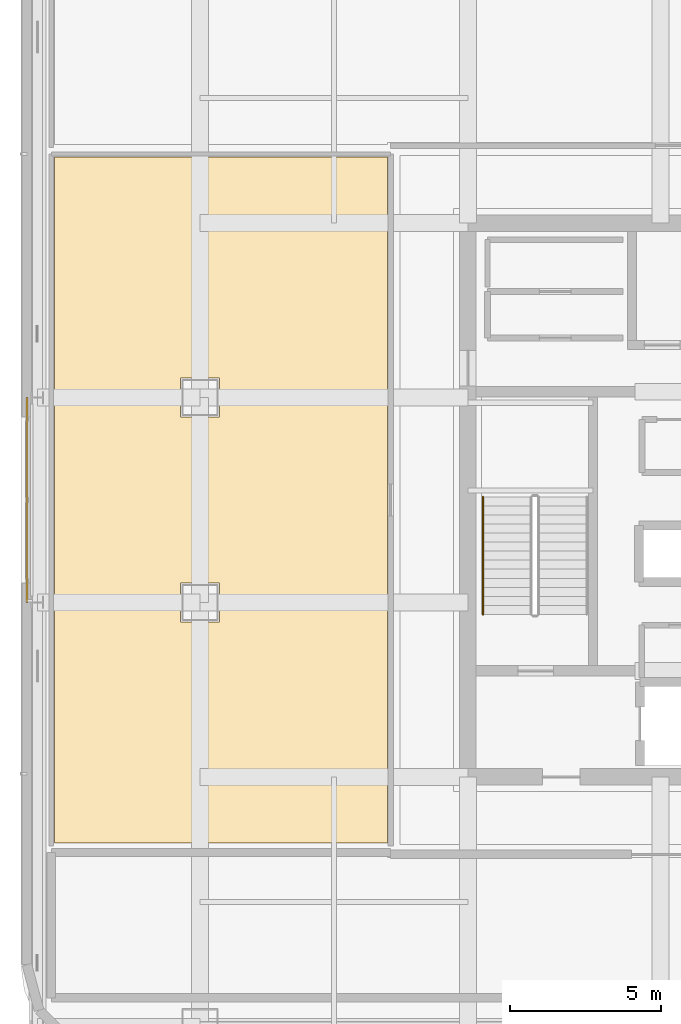
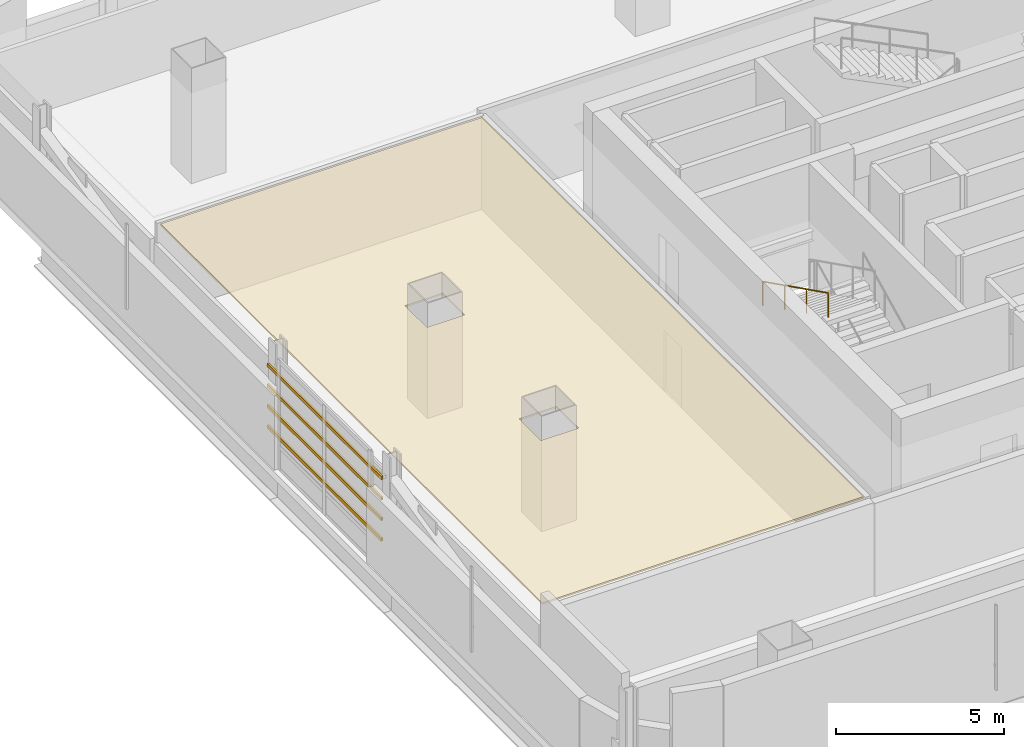
# One storey, part 22 of 31: 4 shading devices, 1 covering, 1 railing.
"""IFC4 building model written with IfcOpenShell, lengths in metres."""

import ifcopenshell
import ifcopenshell.guid

model = None  # the IFC model being written
_history = None  # IfcOwnerHistory: only IFC2X3 demands one
_inside = {}  # id of a spatial element -> (the spatial element, [elements in it])
_under = {}  # id of a project, library or spatial element -> (it, [spatial elements below it])
_declared = {}  # id of a project -> (the project, [libraries it declares])
_typed = {}  # id of a type object -> (the type object, [elements of that type])
_made_of = {}  # id of a material, layer set ... -> (it, [elements and type objects made of it])


def new_model(schema):
    """Start an empty IFC model of exactly this schema.

    Asked for "IFC4X3", IfcOpenShell would pick the latest addendum, in which some entities
    have other attributes; the version numbers below select the first issue.
    IFC2X3 requires an IfcOwnerHistory on every rooted entity: one is made here for all.
    """
    global model, _history
    if schema == "IFC4X3":
        model = ifcopenshell.file(schema_version=(4, 3, 0, 0))
    else:
        model = ifcopenshell.file(schema=schema)
    _inside.clear()
    _under.clear()
    _declared.clear()
    _typed.clear()
    _made_of.clear()
    _history = None
    if model.schema == "IFC2X3":
        org = make("IfcOrganization", Name="unknown")
        user = make(
            "IfcPersonAndOrganization",
            ThePerson=make("IfcPerson", FamilyName="unknown"),
            TheOrganization=org,
        )
        app = make(
            "IfcApplication",
            ApplicationDeveloper=org,
            Version="unknown",
            ApplicationFullName="unknown",
            ApplicationIdentifier="unknown",
        )
        _history = make(
            "IfcOwnerHistory",
            OwningUser=user,
            OwningApplication=app,
            ChangeAction="ADDED",
            CreationDate=0,
        )
    return model


def make(cls, **values):
    """One entity of the class cls with the attributes given. An attribute that is None is left unset."""
    return model.create_entity(
        cls, **{name: value for name, value in values.items() if value is not None}
    )


def rooted(cls, **values):
    """An entity with a GlobalId (a new one), such as an element, a storey or a relation."""
    return make(cls, GlobalId=ifcopenshell.guid.new(), OwnerHistory=_history, **values)


def si_unit(unit_type, name, prefix=None):
    """IfcSIUnit, for example si_unit("LENGTHUNIT", "METRE", prefix="MILLI")."""
    return make("IfcSIUnit", UnitType=unit_type, Prefix=prefix, Name=name)


def assignment(units):
    """IfcUnitAssignment: the units of a project."""
    return None if units is None else make("IfcUnitAssignment", Units=units)


def point(xyz):
    """IfcCartesianPoint."""
    return None if xyz is None else make("IfcCartesianPoint", Coordinates=xyz)


def direction(xyz):
    """IfcDirection."""
    return None if xyz is None else make("IfcDirection", DirectionRatios=xyz)


def frame(location, z_axis=None, x_axis=None):
    """IfcAxis2Placement3D, a coordinate frame: its origin and axes. An axis left out is left unset."""
    return make(
        "IfcAxis2Placement3D",
        Location=point(location),
        Axis=direction(z_axis),
        RefDirection=direction(x_axis),
    )


def frame_2d(location, x_axis=None):
    """IfcAxis2Placement2D, a coordinate frame in the plane: its origin and x axis."""
    return make(
        "IfcAxis2Placement2D", Location=point(location), RefDirection=direction(x_axis)
    )


def origin():
    """The frame at (0, 0, 0) with its axes left unset."""
    return frame((0.0, 0.0, 0.0))


def origin_2d():
    """The frame at (0, 0) in the plane with its x axis left unset."""
    return frame_2d((0.0, 0.0))


def place(relative_to, where):
    """IfcLocalPlacement: puts the frame where relative to a parent placement (None: the world)."""
    return make(
        "IfcLocalPlacement", PlacementRelTo=relative_to, RelativePlacement=where
    )


def context(
    kind, dimensions, precision=None, world=None, true_north=None, identifier=None
):
    """IfcGeometricRepresentationContext, for example the 3D "Model" context."""
    return make(
        "IfcGeometricRepresentationContext",
        ContextIdentifier=identifier,
        ContextType=kind,
        CoordinateSpaceDimension=dimensions,
        Precision=precision,
        WorldCoordinateSystem=world,
        TrueNorth=true_north,
    )


def subcontext(parent, identifier, kind, view, scale=None):
    """IfcGeometricRepresentationSubContext, for example "Body" below "Model"."""
    return make(
        "IfcGeometricRepresentationSubContext",
        ContextIdentifier=identifier,
        ContextType=kind,
        ParentContext=parent,
        TargetScale=scale,
        TargetView=view,
    )


def project(units=None, contexts=None):
    """IfcProject with its units and contexts."""
    return rooted(
        "IfcProject",
        Name="project",
        RepresentationContexts=contexts,
        UnitsInContext=assignment(units),
    )


def spatial(cls, under=None, at=None, **own):
    """A site, building, storey or space (cls), placed at a placement, below another one or the project."""
    s = rooted(cls, ObjectPlacement=at, **own)
    if under is not None:
        _under.setdefault(under.id(), (under, []))[1].append(s)
    return s


def polyline(points):
    """IfcPolyline through the points."""
    return make("IfcPolyline", Points=[point(p) for p in points])


def profile(cls, at=None, kind="AREA", **sizes):
    """A parametric profile (cls). Its sizes go by their IFC names, for example OverallWidth=200.0."""
    return make(cls, ProfileType=kind, Position=at, **sizes)


def hollow_rectangle(**sizes):
    """IfcRectangleHollowProfileDef."""
    return profile("IfcRectangleHollowProfileDef", **sizes)


def circle(**sizes):
    """IfcCircleProfileDef."""
    return profile("IfcCircleProfileDef", **sizes)


def outline(outer, holes=None, kind="AREA"):
    """IfcArbitraryClosedProfileDef: a profile drawn as a closed curve; with holes, ...WithVoids."""
    if holes is None:
        return make("IfcArbitraryClosedProfileDef", ProfileType=kind, OuterCurve=outer)
    return make(
        "IfcArbitraryProfileDefWithVoids",
        ProfileType=kind,
        OuterCurve=outer,
        InnerCurves=holes,
    )


def extrude(swept, where, along, depth):
    """IfcExtrudedAreaSolid: the profile swept, set in the frame where, extruded along a direction by depth."""
    return make(
        "IfcExtrudedAreaSolid",
        SweptArea=swept,
        Position=where,
        ExtrudedDirection=direction(along),
        Depth=depth,
    )


def shape(context_of_items, identifier, shape_type, items):
    """IfcShapeRepresentation: the items that make up one representation, for example the "Body"."""
    return make(
        "IfcShapeRepresentation",
        ContextOfItems=context_of_items,
        RepresentationIdentifier=identifier,
        RepresentationType=shape_type,
        Items=items,
    )


def material(Name=None, Category=None):
    """IfcMaterial."""
    return make("IfcMaterial", Name=Name, Category=Category)


def layer(
    of_material, thickness, ventilated=None, Name=None, Category=None, Priority=None
):
    """IfcMaterialLayer: one layer of a wall or slab, of a material (None: an air gap)."""
    return make(
        "IfcMaterialLayer",
        Material=of_material,
        LayerThickness=thickness,
        IsVentilated=ventilated,
        Name=Name,
        Category=Category,
        Priority=Priority,
    )


def layer_set(layers, Name=None):
    """IfcMaterialLayerSet."""
    return make("IfcMaterialLayerSet", MaterialLayers=layers, LayerSetName=Name)


def material_profile(
    of_material, cross_section, Name=None, Category=None, Priority=None
):
    """IfcMaterialProfile: a cross section and its material."""
    return make(
        "IfcMaterialProfile",
        Name=Name,
        Material=of_material,
        Profile=cross_section,
        Priority=Priority,
        Category=Category,
    )


def profile_set(profiles, Name=None, composite=None):
    """IfcMaterialProfileSet."""
    return make(
        "IfcMaterialProfileSet",
        Name=Name,
        MaterialProfiles=profiles,
        CompositeProfile=composite,
    )


def made_of(thing, what):
    """Note that an element or type object is made of a material, layer set ...; save() writes the relation."""
    if what is not None:
        _made_of.setdefault(what.id(), (what, []))[1].append(thing)
    return thing


def type_object(cls, material=None, **own):
    """A type object (cls), such as IfcWallType, which elements share."""
    return made_of(rooted(cls, **own), material)


def element(
    cls,
    number,
    at=None,
    inside=None,
    cuts=None,
    type_object=None,
    material=None,
    context=None,
    identifier="Body",
    shape_type=None,
    held_by="IfcProductDefinitionShape",
    body=None,
    shapes=None,
    **own,
):
    """One element of the class cls, such as IfcWall. Its Tag is "e" and its number.

    at: its placement. inside: the storey or other place that contains it. cuts: it is an
    opening in that element (IfcRelVoidsElement). A single representation is given by context,
    identifier, shape_type and body (its items); several are given by shapes. held_by: the class
    of the entity that holds the representations. save() writes the other relations.
    """
    e = rooted(cls, Tag="e%d" % number, ObjectPlacement=at, **own)
    if body is not None:
        shapes = [shape(context, identifier, shape_type, body)]
    if shapes is not None:
        e.Representation = make(held_by, Representations=shapes)
    if inside is not None:
        _inside.setdefault(inside.id(), (inside, []))[1].append(e)
    if cuts is not None:
        rooted(
            "IfcRelVoidsElement", RelatingBuildingElement=cuts, RelatedOpeningElement=e
        )
    if type_object is not None:
        _typed.setdefault(type_object.id(), (type_object, []))[1].append(e)
    return made_of(e, material)


def aggregate(whole, parts):
    """IfcRelAggregates: a whole, such as a stair, and the parts it consists of."""
    return rooted("IfcRelAggregates", RelatingObject=whole, RelatedObjects=parts)


def save(model, path):
    """Write the relations noted so far, then the file.

    IfcRelAggregates (storeys below a building ...), IfcRelContainedInSpatialStructure (elements
    in a storey), IfcRelDefinesByType, IfcRelAssociatesMaterial and IfcRelDeclares: one each for
    every whole, place, type object, material and project.
    """
    for whole, parts in _under.values():
        aggregate(whole, parts)
    for where, things in _inside.values():
        rooted(
            "IfcRelContainedInSpatialStructure",
            RelatedElements=things,
            RelatingStructure=where,
        )
    for kind, things in _typed.values():
        rooted("IfcRelDefinesByType", RelatedObjects=things, RelatingType=kind)
    for what, things in _made_of.values():
        rooted("IfcRelAssociatesMaterial", RelatedObjects=things, RelatingMaterial=what)
    for by, libraries in _declared.values():
        rooted("IfcRelDeclares", RelatingContext=by, RelatedDefinitions=libraries)
    model.write(path)


model = new_model("IFC4")

# Units and contexts
model_context = context("Model", 3, precision=1e-05, world=origin(), true_north=direction((0.0, 1.0)))
body_context = subcontext(model_context, "Body", "Model", "MODEL_VIEW")
ifc_project = project(units=[si_unit("LENGTHUNIT", "METRE"), si_unit("AREAUNIT", "SQUARE_METRE"), si_unit("VOLUMEUNIT", "CUBIC_METRE"), si_unit("PLANEANGLEUNIT", "RADIAN"), si_unit("MASSUNIT", "GRAM", prefix="KILO")], contexts=[model_context])

# Site, building, storey
site_placement = place(None, origin())
site = spatial("IfcSite", under=ifc_project, at=site_placement, CompositionType="ELEMENT")
building_placement = place(site_placement, origin())
building = spatial("IfcBuilding", under=site, at=building_placement, Name="Punatoya Terracotta Tower", CompositionType="ELEMENT")
storey_placement = place(building_placement, frame((0.0, 0.0, 283.800048828125)))
storey = spatial("IfcBuildingStorey", under=building, at=storey_placement, Name="L67", CompositionType="ELEMENT", Elevation=283.800048828125)

# Covering
ifc_material_1 = material(Name="Acoustic Mineral Fibre Ceiling")
ifc_layer = layer(ifc_material_1, 0.06005859375)
ifc_layer_set = layer_set([ifc_layer], Name="Acoustic Mineral Fibre Ceiling")
covering_type = type_object("IfcCoveringType", Name="COV-CEIL-60", PredefinedType="CEILING", material=ifc_layer_set)
covering_placement = place(storey_placement, frame((0.0, 0.0, 3.31005859375)))
element("IfcCovering", 1, at=covering_placement, inside=storey, type_object=covering_type, Name="L67 Visitor Reception Salon Acoustic Ceiling", PredefinedType="CEILING", context=body_context, shape_type="SweptSolid", body=[
    extrude(outline(polyline([(-12.8701171875, -11.389892578125), (-12.8701171875, 11.389892578125), (-23.93994140625, 11.389892578125), (-23.93994140625, -11.389892578125), (-12.8701171875, -11.389892578125)]), holes=[polyline([(-18.449951171875, -4.050048828125), (-19.75, -4.050048828125), (-19.75, -2.75), (-18.449951171875, -2.75), (-18.449951171875, -4.050048828125)]), polyline([(-18.449951171875, 4.050048828125), (-18.449951171875, 2.75), (-19.75, 2.75), (-19.75, 4.050048828125), (-18.449951171875, 4.050048828125)])]), origin(), (0.0, 0.0, 1.0), 0.059814453125),
])

# Railing
ifc_material_2 = material(Name="Steel S355", Category="steel")
railing_type = type_object("IfcRailingType", Name="RLG-HND-900", PredefinedType="HANDRAIL", material=ifc_material_2)
railing_placement = place(storey_placement, frame((-9.699951171875, 0.10009765625, 2.25)))
element("IfcRailing", 2, at=railing_placement, inside=storey, type_object=railing_type, Name="L67 ST-1 stair handrail 2", PredefinedType="HANDRAIL", context=body_context, shape_type="SweptSolid", body=[
    extrude(circle(Radius=0.02392578125, at=origin_2d()), frame((0.0, 0.0, 0.8759765625), z_axis=(0.0, -0.894438388696, 0.447191199406), x_axis=(1.0, 0.0, 0.0)), (0.0, 0.0, 1.0), 4.3603515625),
    extrude(circle(Radius=0.02099609375, at=origin_2d()), origin(), (0.0, 0.0, 1.0), 0.851806640625),
    extrude(circle(Radius=0.02099609375, at=origin_2d()), frame((0.0, -1.300048828125, 0.64990234375)), (0.0, 0.0, 1.0), 0.851806640625),
    extrude(circle(Radius=0.02099609375, at=origin_2d()), frame((0.0, -2.60009765625, 1.300048828125)), (0.0, 0.0, 1.0), 0.851806640625),
    extrude(circle(Radius=0.02099609375, at=origin_2d()), frame((0.0, -3.900146484375, 1.949951171875)), (0.0, 0.0, 1.0), 0.851806640625),
])

# Shading devices
ifc_material_3 = material(Name="Architectural Fired Terracotta", Category="masonry")
ifc_material_profile = material_profile(ifc_material_3, hollow_rectangle(XDim=0.06494140625, YDim=0.1201171875, WallThickness=0.014892578125, at=origin_2d()))
ifc_profile_set = profile_set([ifc_material_profile], Name="Architectural Fired Terracotta")
shading_device_type = type_object("IfcShadingDeviceType", Name="SHD-BAG-120", PredefinedType="USERDEFINED", material=ifc_profile_set)
for number, where, z_axis, x_axis, name in (
    (3, (-24.847900390625, -3.39990234375, 1.14990234375), (0.0, 1.0, 0.0), (-1.0, 0.0, 0.0), "L67 Fired Terracotta Baguette Louvre BAG-L67-W-01"),
    (4, (-24.847900390625, -3.39990234375, 1.89990234375), (0.0, 1.0, 0.0), (-1.0, 0.0, 0.0), "L67 Fired Terracotta Baguette Louvre BAG-L67-W-02"),
    (5, (-24.847900390625, -3.39990234375, 2.64990234375), (0.0, 1.0, 0.0), (-1.0, 0.0, 0.0), "L67 Fired Terracotta Baguette Louvre BAG-L67-W-03"),
    (6, (-24.847900390625, -3.39990234375, 3.39990234375), (0.0, 1.0, 0.0), (-1.0, 0.0, 0.0), "L67 Fired Terracotta Baguette Louvre BAG-L67-W-04"),
):
    element("IfcShadingDevice", number, at=place(storey_placement, frame(where, z_axis=z_axis, x_axis=x_axis)), inside=storey, type_object=shading_device_type, Name=name, ObjectType="BAGUETTE", PredefinedType="USERDEFINED", context=body_context, shape_type="SweptSolid", body=[
        extrude(hollow_rectangle(XDim=0.06494140625, YDim=0.1201171875, WallThickness=0.014892578125, at=origin_2d()), origin(), (0.0, 0.0, 1.0), 6.7998046875),
    ])

save(model, "model.ifc")
